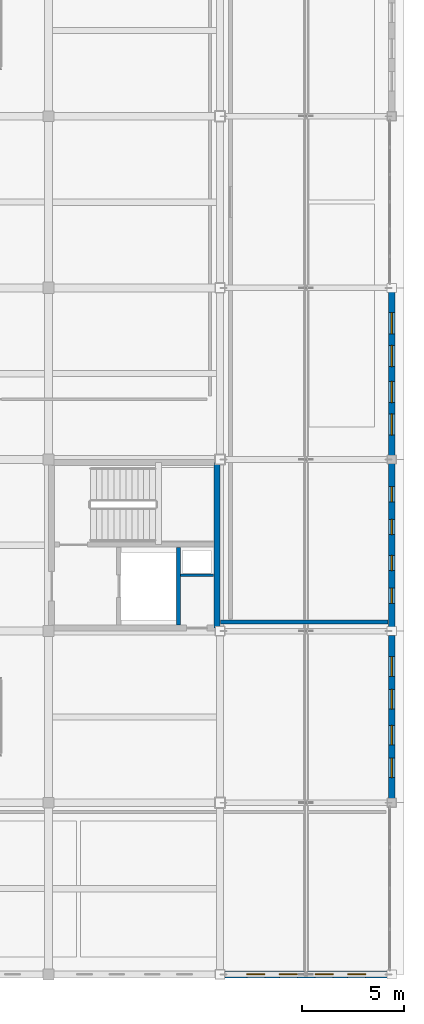
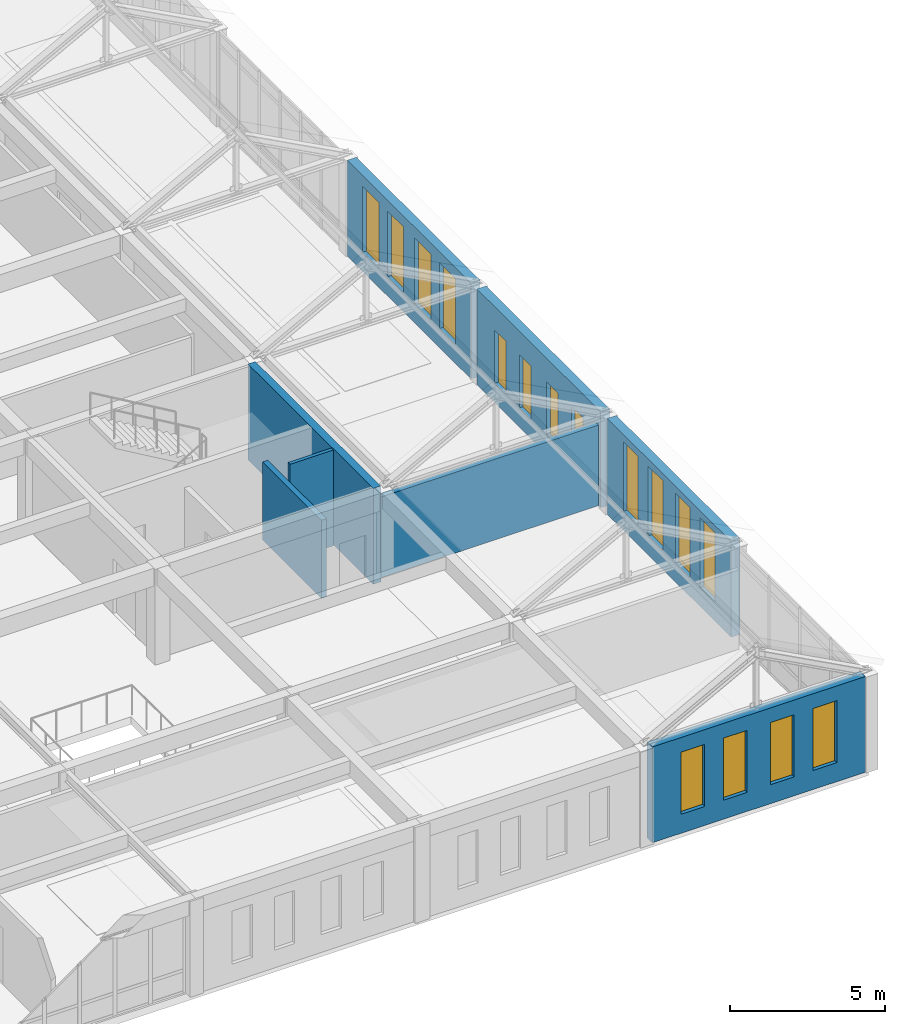
# One storey, part 29 of 36: 16 windows, 8 walls, 16 openings.
"""IFC4 building model written with IfcOpenShell, lengths in metres."""

import ifcopenshell
import ifcopenshell.guid

model = None  # the IFC model being written
_history = None  # IfcOwnerHistory: only IFC2X3 demands one
_inside = {}  # id of a spatial element -> (the spatial element, [elements in it])
_under = {}  # id of a project, library or spatial element -> (it, [spatial elements below it])
_declared = {}  # id of a project -> (the project, [libraries it declares])
_typed = {}  # id of a type object -> (the type object, [elements of that type])
_made_of = {}  # id of a material, layer set ... -> (it, [elements and type objects made of it])


def new_model(schema):
    """Start an empty IFC model of exactly this schema.

    Asked for "IFC4X3", IfcOpenShell would pick the latest addendum, in which some entities
    have other attributes; the version numbers below select the first issue.
    IFC2X3 requires an IfcOwnerHistory on every rooted entity: one is made here for all.
    """
    global model, _history
    if schema == "IFC4X3":
        model = ifcopenshell.file(schema_version=(4, 3, 0, 0))
    else:
        model = ifcopenshell.file(schema=schema)
    _inside.clear()
    _under.clear()
    _declared.clear()
    _typed.clear()
    _made_of.clear()
    _history = None
    if model.schema == "IFC2X3":
        org = make("IfcOrganization", Name="unknown")
        user = make(
            "IfcPersonAndOrganization",
            ThePerson=make("IfcPerson", FamilyName="unknown"),
            TheOrganization=org,
        )
        app = make(
            "IfcApplication",
            ApplicationDeveloper=org,
            Version="unknown",
            ApplicationFullName="unknown",
            ApplicationIdentifier="unknown",
        )
        _history = make(
            "IfcOwnerHistory",
            OwningUser=user,
            OwningApplication=app,
            ChangeAction="ADDED",
            CreationDate=0,
        )
    return model


def make(cls, **values):
    """One entity of the class cls with the attributes given. An attribute that is None is left unset."""
    return model.create_entity(
        cls, **{name: value for name, value in values.items() if value is not None}
    )


def rooted(cls, **values):
    """An entity with a GlobalId (a new one), such as an element, a storey or a relation."""
    return make(cls, GlobalId=ifcopenshell.guid.new(), OwnerHistory=_history, **values)


def si_unit(unit_type, name, prefix=None):
    """IfcSIUnit, for example si_unit("LENGTHUNIT", "METRE", prefix="MILLI")."""
    return make("IfcSIUnit", UnitType=unit_type, Prefix=prefix, Name=name)


def assignment(units):
    """IfcUnitAssignment: the units of a project."""
    return None if units is None else make("IfcUnitAssignment", Units=units)


def point(xyz):
    """IfcCartesianPoint."""
    return None if xyz is None else make("IfcCartesianPoint", Coordinates=xyz)


def direction(xyz):
    """IfcDirection."""
    return None if xyz is None else make("IfcDirection", DirectionRatios=xyz)


def frame(location, z_axis=None, x_axis=None):
    """IfcAxis2Placement3D, a coordinate frame: its origin and axes. An axis left out is left unset."""
    return make(
        "IfcAxis2Placement3D",
        Location=point(location),
        Axis=direction(z_axis),
        RefDirection=direction(x_axis),
    )


def frame_2d(location, x_axis=None):
    """IfcAxis2Placement2D, a coordinate frame in the plane: its origin and x axis."""
    return make(
        "IfcAxis2Placement2D", Location=point(location), RefDirection=direction(x_axis)
    )


def origin():
    """The frame at (0, 0, 0) with its axes left unset."""
    return frame((0.0, 0.0, 0.0))


def place(relative_to, where):
    """IfcLocalPlacement: puts the frame where relative to a parent placement (None: the world)."""
    return make(
        "IfcLocalPlacement", PlacementRelTo=relative_to, RelativePlacement=where
    )


def context(
    kind, dimensions, precision=None, world=None, true_north=None, identifier=None
):
    """IfcGeometricRepresentationContext, for example the 3D "Model" context."""
    return make(
        "IfcGeometricRepresentationContext",
        ContextIdentifier=identifier,
        ContextType=kind,
        CoordinateSpaceDimension=dimensions,
        Precision=precision,
        WorldCoordinateSystem=world,
        TrueNorth=true_north,
    )


def subcontext(parent, identifier, kind, view, scale=None):
    """IfcGeometricRepresentationSubContext, for example "Body" below "Model"."""
    return make(
        "IfcGeometricRepresentationSubContext",
        ContextIdentifier=identifier,
        ContextType=kind,
        ParentContext=parent,
        TargetScale=scale,
        TargetView=view,
    )


def project(units=None, contexts=None):
    """IfcProject with its units and contexts."""
    return rooted(
        "IfcProject",
        Name="project",
        RepresentationContexts=contexts,
        UnitsInContext=assignment(units),
    )


def spatial(cls, under=None, at=None, **own):
    """A site, building, storey or space (cls), placed at a placement, below another one or the project."""
    s = rooted(cls, ObjectPlacement=at, **own)
    if under is not None:
        _under.setdefault(under.id(), (under, []))[1].append(s)
    return s


def profile(cls, at=None, kind="AREA", **sizes):
    """A parametric profile (cls). Its sizes go by their IFC names, for example OverallWidth=200.0."""
    return make(cls, ProfileType=kind, Position=at, **sizes)


def rectangle(**sizes):
    """IfcRectangleProfileDef."""
    return profile("IfcRectangleProfileDef", **sizes)


def extrude(swept, where, along, depth):
    """IfcExtrudedAreaSolid: the profile swept, set in the frame where, extruded along a direction by depth."""
    return make(
        "IfcExtrudedAreaSolid",
        SweptArea=swept,
        Position=where,
        ExtrudedDirection=direction(along),
        Depth=depth,
    )


def shape(context_of_items, identifier, shape_type, items):
    """IfcShapeRepresentation: the items that make up one representation, for example the "Body"."""
    return make(
        "IfcShapeRepresentation",
        ContextOfItems=context_of_items,
        RepresentationIdentifier=identifier,
        RepresentationType=shape_type,
        Items=items,
    )


def material(Name=None, Category=None):
    """IfcMaterial."""
    return make("IfcMaterial", Name=Name, Category=Category)


def layer(
    of_material, thickness, ventilated=None, Name=None, Category=None, Priority=None
):
    """IfcMaterialLayer: one layer of a wall or slab, of a material (None: an air gap)."""
    return make(
        "IfcMaterialLayer",
        Material=of_material,
        LayerThickness=thickness,
        IsVentilated=ventilated,
        Name=Name,
        Category=Category,
        Priority=Priority,
    )


def layer_set(layers, Name=None):
    """IfcMaterialLayerSet."""
    return make("IfcMaterialLayerSet", MaterialLayers=layers, LayerSetName=Name)


def made_of(thing, what):
    """Note that an element or type object is made of a material, layer set ...; save() writes the relation."""
    if what is not None:
        _made_of.setdefault(what.id(), (what, []))[1].append(thing)
    return thing


def type_object(cls, material=None, **own):
    """A type object (cls), such as IfcWallType, which elements share."""
    return made_of(rooted(cls, **own), material)


def element(
    cls,
    number,
    at=None,
    inside=None,
    cuts=None,
    type_object=None,
    material=None,
    context=None,
    identifier="Body",
    shape_type=None,
    held_by="IfcProductDefinitionShape",
    body=None,
    shapes=None,
    **own,
):
    """One element of the class cls, such as IfcWall. Its Tag is "e" and its number.

    at: its placement. inside: the storey or other place that contains it. cuts: it is an
    opening in that element (IfcRelVoidsElement). A single representation is given by context,
    identifier, shape_type and body (its items); several are given by shapes. held_by: the class
    of the entity that holds the representations. save() writes the other relations.
    """
    e = rooted(cls, Tag="e%d" % number, ObjectPlacement=at, **own)
    if body is not None:
        shapes = [shape(context, identifier, shape_type, body)]
    if shapes is not None:
        e.Representation = make(held_by, Representations=shapes)
    if inside is not None:
        _inside.setdefault(inside.id(), (inside, []))[1].append(e)
    if cuts is not None:
        rooted(
            "IfcRelVoidsElement", RelatingBuildingElement=cuts, RelatedOpeningElement=e
        )
    if type_object is not None:
        _typed.setdefault(type_object.id(), (type_object, []))[1].append(e)
    return made_of(e, material)


def fill(opening, filler):
    """IfcRelFillsElement: the door or window that sits in an opening."""
    return rooted(
        "IfcRelFillsElement",
        RelatingOpeningElement=opening,
        RelatedBuildingElement=filler,
    )


def aggregate(whole, parts):
    """IfcRelAggregates: a whole, such as a stair, and the parts it consists of."""
    return rooted("IfcRelAggregates", RelatingObject=whole, RelatedObjects=parts)


def save(model, path):
    """Write the relations noted so far, then the file.

    IfcRelAggregates (storeys below a building ...), IfcRelContainedInSpatialStructure (elements
    in a storey), IfcRelDefinesByType, IfcRelAssociatesMaterial and IfcRelDeclares: one each for
    every whole, place, type object, material and project.
    """
    for whole, parts in _under.values():
        aggregate(whole, parts)
    for where, things in _inside.values():
        rooted(
            "IfcRelContainedInSpatialStructure",
            RelatedElements=things,
            RelatingStructure=where,
        )
    for kind, things in _typed.values():
        rooted("IfcRelDefinesByType", RelatedObjects=things, RelatingType=kind)
    for what, things in _made_of.values():
        rooted("IfcRelAssociatesMaterial", RelatedObjects=things, RelatingMaterial=what)
    for by, libraries in _declared.values():
        rooted("IfcRelDeclares", RelatingContext=by, RelatedDefinitions=libraries)
    model.write(path)


model = new_model("IFC4")

# Units and contexts
model_context = context("Model", 3, precision=1e-05, world=origin(), true_north=direction((0.0, 1.0)))
body_context = subcontext(model_context, "Body", "Model", "MODEL_VIEW")
ifc_project = project(units=[si_unit("LENGTHUNIT", "METRE"), si_unit("AREAUNIT", "SQUARE_METRE"), si_unit("VOLUMEUNIT", "CUBIC_METRE"), si_unit("PLANEANGLEUNIT", "RADIAN"), si_unit("MASSUNIT", "GRAM", prefix="KILO")], contexts=[model_context])

# Site, building, storey
site_placement = place(None, origin())
site = spatial("IfcSite", under=ifc_project, at=site_placement, CompositionType="ELEMENT")
building_placement = place(site_placement, origin())
building = spatial("IfcBuilding", under=site, at=building_placement, Name="Kveldsbrygga Polytechnic", CompositionType="ELEMENT")
storey_placement = place(building_placement, frame((0.0, 0.0, 22.10009765625)))
storey = spatial("IfcBuildingStorey", under=building, at=storey_placement, Name="L05", CompositionType="ELEMENT", Elevation=22.10009765625)

# Wall, openings, windows
ifc_material_1 = material(Name="Fired clay brick masonry M10", Category="masonry")
ifc_layer_1 = layer(ifc_material_1, 0.340087890625)
ifc_layer_set_1 = layer_set([ifc_layer_1], Name="Fired clay brick masonry M10")
wall_type_1 = type_object("IfcWallType", Name="EW-BRICK-340", PredefinedType="SOLIDWALL", material=ifc_layer_set_1)
wall_1_placement = place(storey_placement, frame((159.8349609375, 16.800048828125, 0.0), z_axis=(0.0, 0.0, 1.0), x_axis=(1.0, 0.0, 0.0)))
wall_1 = element("IfcWall", 1, at=wall_1_placement, inside=storey, type_object=wall_type_1, Name="Exterior Brick Wall EW-L05-X-19-02", PredefinedType="SOLIDWALL", context=body_context, shape_type="SweptSolid", body=[
    extrude(rectangle(XDim=7.955078125, YDim=0.340087890625, at=frame_2d((3.9775390625, 0.0))), origin(), (0.0, 0.0, 1.0), 3.77978515625),
])
opening_1_placement = place(wall_1_placement, frame((1.071533203125, 0.0, 0.75)))
opening_1 = element("IfcOpeningElement", 2, at=opening_1_placement, cuts=wall_1, Name="Opening W-18", PredefinedType="OPENING", context=body_context, shape_type="SweptSolid", body=[
    extrude(rectangle(XDim=0.8798828125, YDim=2.449951171875, at=frame_2d((0.43994140625, 1.22509765625))), frame((0.0, 0.18017578125, 0.0), z_axis=(0.0, -1.0, 0.0), x_axis=(1.0, 0.0, 0.0)), (0.0, 0.0, 1.0), 0.360107421875),
])
opening_2_placement = place(wall_1_placement, frame((2.662353515625, 0.0, 0.75)))
opening_2 = element("IfcOpeningElement", 3, at=opening_2_placement, cuts=wall_1, Name="Opening W-18", PredefinedType="OPENING", context=body_context, shape_type="SweptSolid", body=[
    extrude(rectangle(XDim=0.8798828125, YDim=2.449951171875, at=frame_2d((0.43994140625, 1.22509765625))), frame((0.0, 0.18017578125, 0.0), z_axis=(0.0, -1.0, 0.0), x_axis=(1.0, 0.0, 0.0)), (0.0, 0.0, 1.0), 0.360107421875),
])
opening_3_placement = place(wall_1_placement, frame((4.41259765625, 0.0, 0.75)))
opening_3 = element("IfcOpeningElement", 4, at=opening_3_placement, cuts=wall_1, Name="Opening W-18", PredefinedType="OPENING", context=body_context, shape_type="SweptSolid", body=[
    extrude(rectangle(XDim=0.8798828125, YDim=2.449951171875, at=frame_2d((0.43994140625, 1.22509765625))), frame((0.0, 0.18017578125, 0.0), z_axis=(0.0, -1.0, 0.0), x_axis=(1.0, 0.0, 0.0)), (0.0, 0.0, 1.0), 0.360107421875),
])
opening_4_placement = place(wall_1_placement, frame((6.003662109375, 0.0, 0.75)))
opening_4 = element("IfcOpeningElement", 5, at=opening_4_placement, cuts=wall_1, Name="Opening W-18", PredefinedType="OPENING", context=body_context, shape_type="SweptSolid", body=[
    extrude(rectangle(XDim=0.8798828125, YDim=2.449951171875, at=frame_2d((0.43994140625, 1.22509765625))), frame((0.0, 0.18017578125, 0.0), z_axis=(0.0, -1.0, 0.0), x_axis=(1.0, 0.0, 0.0)), (0.0, 0.0, 1.0), 0.360107421875),
])
ifc_material_2 = material(Name="Insulated triple low-E glass", Category="glass")
window_type_1 = type_object("IfcWindowType", Name="WN-LANC-088x245", PartitioningType="DOUBLE_PANEL_VERTICAL", PredefinedType="WINDOW", material=ifc_material_2)
window_1_placement = place(opening_1_placement, origin())
window_1 = element("IfcWindow", 6, at=window_1_placement, inside=storey, type_object=window_type_1, Name="Gothic Lancet Window WIN-L05-X-19-02-1", OverallHeight=2.449951171875, OverallWidth=0.8798828125, PartitioningType="DOUBLE_PANEL_VERTICAL", PredefinedType="WINDOW", context=body_context, shape_type="SweptSolid", body=[
    extrude(rectangle(XDim=0.8798828125, YDim=2.449951171875, at=frame_2d((0.43994140625, 1.22509765625))), frame((0.0, 0.030029296875, 0.0), z_axis=(0.0, -1.0, 0.0), x_axis=(1.0, 0.0, 0.0)), (0.0, 0.0, 1.0), 0.06005859375),
])
fill(opening_1, window_1)
window_2_placement = place(opening_2_placement, origin())
window_2 = element("IfcWindow", 7, at=window_2_placement, inside=storey, type_object=window_type_1, Name="Gothic Lancet Window WIN-L05-X-19-02-2", OverallHeight=2.449951171875, OverallWidth=0.8798828125, PartitioningType="DOUBLE_PANEL_VERTICAL", PredefinedType="WINDOW", context=body_context, shape_type="SweptSolid", body=[
    extrude(rectangle(XDim=0.8798828125, YDim=2.449951171875, at=frame_2d((0.43994140625, 1.22509765625))), frame((0.0, 0.030029296875, 0.0), z_axis=(0.0, -1.0, 0.0), x_axis=(1.0, 0.0, 0.0)), (0.0, 0.0, 1.0), 0.06005859375),
])
fill(opening_2, window_2)
window_3_placement = place(opening_3_placement, origin())
window_3 = element("IfcWindow", 8, at=window_3_placement, inside=storey, type_object=window_type_1, Name="Gothic Lancet Window WIN-L05-X-19-02-3", OverallHeight=2.449951171875, OverallWidth=0.8798828125, PartitioningType="DOUBLE_PANEL_VERTICAL", PredefinedType="WINDOW", context=body_context, shape_type="SweptSolid", body=[
    extrude(rectangle(XDim=0.8798828125, YDim=2.449951171875, at=frame_2d((0.43994140625, 1.22509765625))), frame((0.0, 0.030029296875, 0.0), z_axis=(0.0, -1.0, 0.0), x_axis=(1.0, 0.0, 0.0)), (0.0, 0.0, 1.0), 0.06005859375),
])
fill(opening_3, window_3)
window_4_placement = place(opening_4_placement, origin())
window_4 = element("IfcWindow", 9, at=window_4_placement, inside=storey, type_object=window_type_1, Name="Gothic Lancet Window WIN-L05-X-19-02-4", OverallHeight=2.449951171875, OverallWidth=0.8798828125, PartitioningType="DOUBLE_PANEL_VERTICAL", PredefinedType="WINDOW", context=body_context, shape_type="SweptSolid", body=[
    extrude(rectangle(XDim=0.8798828125, YDim=2.449951171875, at=frame_2d((0.43994140625, 1.22509765625))), frame((0.0, 0.030029296875, 0.0), z_axis=(0.0, -1.0, 0.0), x_axis=(1.0, 0.0, 0.0)), (0.0, 0.0, 1.0), 0.06005859375),
])
fill(opening_4, window_4)

wall_2_placement = place(storey_placement, frame((168.0, 25.385009765625, 0.0), z_axis=(0.0, 0.0, 1.0), x_axis=(0.0, 1.0, 0.0)))
wall_2 = element("IfcWall", 10, at=wall_2_placement, inside=storey, type_object=wall_type_1, Name="Exterior Brick Wall EW-L05-Y-20-03", PredefinedType="SOLIDWALL", context=body_context, shape_type="SweptSolid", body=[
    extrude(rectangle(XDim=8.0048828125, YDim=0.340087890625, at=frame_2d((4.00244140625, 0.0))), origin(), (0.0, 0.0, 1.0), 3.77978515625),
])
opening_5_placement = place(wall_2_placement, frame((1.041015625, 0.0, 0.75)))
opening_5 = element("IfcOpeningElement", 11, at=opening_5_placement, cuts=wall_2, Name="Opening W-26", PredefinedType="OPENING", context=body_context, shape_type="SweptSolid", body=[
    extrude(rectangle(XDim=0.9599609375, YDim=2.75, at=frame_2d((0.47998046875, 1.375))), frame((0.0, 0.18017578125, 0.0), z_axis=(0.0, -1.0, 0.0), x_axis=(1.0, 0.0, 0.0)), (0.0, 0.0, 1.0), 0.360107421875),
])
opening_6_placement = place(wall_2_placement, frame((2.641845703125, 0.0, 0.75)))
opening_6 = element("IfcOpeningElement", 12, at=opening_6_placement, cuts=wall_2, Name="Opening W-26", PredefinedType="OPENING", context=body_context, shape_type="SweptSolid", body=[
    extrude(rectangle(XDim=0.9599609375, YDim=2.75, at=frame_2d((0.47998046875, 1.375))), frame((0.0, 0.18017578125, 0.0), z_axis=(0.0, -1.0, 0.0), x_axis=(1.0, 0.0, 0.0)), (0.0, 0.0, 1.0), 0.360107421875),
])
opening_7_placement = place(wall_2_placement, frame((4.403076171875, 0.0, 0.75)))
opening_7 = element("IfcOpeningElement", 13, at=opening_7_placement, cuts=wall_2, Name="Opening W-26", PredefinedType="OPENING", context=body_context, shape_type="SweptSolid", body=[
    extrude(rectangle(XDim=0.9599609375, YDim=2.75, at=frame_2d((0.47998046875, 1.375))), frame((0.0, 0.18017578125, 0.0), z_axis=(0.0, -1.0, 0.0), x_axis=(1.0, 0.0, 0.0)), (0.0, 0.0, 1.0), 0.360107421875),
])
opening_8_placement = place(wall_2_placement, frame((6.004150390625, 0.0, 0.75)))
opening_8 = element("IfcOpeningElement", 14, at=opening_8_placement, cuts=wall_2, Name="Opening W-26", PredefinedType="OPENING", context=body_context, shape_type="SweptSolid", body=[
    extrude(rectangle(XDim=0.9599609375, YDim=2.75, at=frame_2d((0.47998046875, 1.375))), frame((0.0, 0.18017578125, 0.0), z_axis=(0.0, -1.0, 0.0), x_axis=(1.0, 0.0, 0.0)), (0.0, 0.0, 1.0), 0.360107421875),
])
window_type_2 = type_object("IfcWindowType", Name="WN-WORK-096x275", PartitioningType="DOUBLE_PANEL_VERTICAL", PredefinedType="WINDOW", material=ifc_material_2)
window_5_placement = place(opening_5_placement, origin())
window_5 = element("IfcWindow", 15, at=window_5_placement, inside=storey, type_object=window_type_2, Name="Gothic Lancet Window WIN-L05-Y-20-03-1", OverallHeight=2.75, OverallWidth=0.9599609375, PartitioningType="DOUBLE_PANEL_VERTICAL", PredefinedType="WINDOW", context=body_context, shape_type="SweptSolid", body=[
    extrude(rectangle(XDim=0.9599609375, YDim=2.75, at=frame_2d((0.47998046875, 1.375))), frame((0.0, 0.030029296875, 0.0), z_axis=(0.0, -1.0, 0.0), x_axis=(1.0, 0.0, 0.0)), (0.0, 0.0, 1.0), 0.06005859375),
])
fill(opening_5, window_5)
window_6_placement = place(opening_6_placement, origin())
window_6 = element("IfcWindow", 16, at=window_6_placement, inside=storey, type_object=window_type_2, Name="Gothic Lancet Window WIN-L05-Y-20-03-2", OverallHeight=2.75, OverallWidth=0.9599609375, PartitioningType="DOUBLE_PANEL_VERTICAL", PredefinedType="WINDOW", context=body_context, shape_type="SweptSolid", body=[
    extrude(rectangle(XDim=0.9599609375, YDim=2.75, at=frame_2d((0.47998046875, 1.375))), frame((0.0, 0.030029296875, 0.0), z_axis=(0.0, -1.0, 0.0), x_axis=(1.0, 0.0, 0.0)), (0.0, 0.0, 1.0), 0.06005859375),
])
fill(opening_6, window_6)
window_7_placement = place(opening_7_placement, origin())
window_7 = element("IfcWindow", 17, at=window_7_placement, inside=storey, type_object=window_type_2, Name="Gothic Lancet Window WIN-L05-Y-20-03-3", OverallHeight=2.75, OverallWidth=0.9599609375, PartitioningType="DOUBLE_PANEL_VERTICAL", PredefinedType="WINDOW", context=body_context, shape_type="SweptSolid", body=[
    extrude(rectangle(XDim=0.9599609375, YDim=2.75, at=frame_2d((0.47998046875, 1.375))), frame((0.0, 0.030029296875, 0.0), z_axis=(0.0, -1.0, 0.0), x_axis=(1.0, 0.0, 0.0)), (0.0, 0.0, 1.0), 0.06005859375),
])
fill(opening_7, window_7)
window_8_placement = place(opening_8_placement, origin())
window_8 = element("IfcWindow", 18, at=window_8_placement, inside=storey, type_object=window_type_2, Name="Gothic Lancet Window WIN-L05-Y-20-03-4", OverallHeight=2.75, OverallWidth=0.9599609375, PartitioningType="DOUBLE_PANEL_VERTICAL", PredefinedType="WINDOW", context=body_context, shape_type="SweptSolid", body=[
    extrude(rectangle(XDim=0.9599609375, YDim=2.75, at=frame_2d((0.47998046875, 1.375))), frame((0.0, 0.030029296875, 0.0), z_axis=(0.0, -1.0, 0.0), x_axis=(1.0, 0.0, 0.0)), (0.0, 0.0, 1.0), 0.06005859375),
])
fill(opening_8, window_8)

wall_3_placement = place(storey_placement, frame((168.0, 33.81005859375, 0.0), z_axis=(0.0, 0.0, 1.0), x_axis=(0.0, 1.0, 0.0)))
wall_3 = element("IfcWall", 19, at=wall_3_placement, inside=storey, type_object=wall_type_1, Name="Exterior Brick Wall EW-L05-Y-20-04", PredefinedType="SOLIDWALL", context=body_context, shape_type="SweptSolid", body=[
    extrude(rectangle(XDim=8.0048828125, YDim=0.340087890625, at=frame_2d((4.00244140625, 0.0))), origin(), (0.0, 0.0, 1.0), 3.77978515625),
])
opening_9_placement = place(wall_3_placement, frame((1.14599609375, 0.0, 0.75)))
opening_9 = element("IfcOpeningElement", 20, at=opening_9_placement, cuts=wall_3, Name="Opening W-27", PredefinedType="OPENING", context=body_context, shape_type="SweptSolid", body=[
    extrude(rectangle(XDim=0.75, YDim=2.10009765625, at=frame_2d((0.375, 1.050048828125))), frame((0.0, 0.18017578125, 0.0), z_axis=(0.0, -1.0, 0.0), x_axis=(1.0, 0.0, 0.0)), (0.0, 0.0, 1.0), 0.360107421875),
])
opening_10_placement = place(wall_3_placement, frame((2.7470703125, 0.0, 0.75)))
opening_10 = element("IfcOpeningElement", 21, at=opening_10_placement, cuts=wall_3, Name="Opening W-27", PredefinedType="OPENING", context=body_context, shape_type="SweptSolid", body=[
    extrude(rectangle(XDim=0.75, YDim=2.10009765625, at=frame_2d((0.375, 1.050048828125))), frame((0.0, 0.18017578125, 0.0), z_axis=(0.0, -1.0, 0.0), x_axis=(1.0, 0.0, 0.0)), (0.0, 0.0, 1.0), 0.360107421875),
])
opening_11_placement = place(wall_3_placement, frame((4.508056640625, 0.0, 0.75)))
opening_11 = element("IfcOpeningElement", 22, at=opening_11_placement, cuts=wall_3, Name="Opening W-27", PredefinedType="OPENING", context=body_context, shape_type="SweptSolid", body=[
    extrude(rectangle(XDim=0.75, YDim=2.10009765625, at=frame_2d((0.375, 1.050048828125))), frame((0.0, 0.18017578125, 0.0), z_axis=(0.0, -1.0, 0.0), x_axis=(1.0, 0.0, 0.0)), (0.0, 0.0, 1.0), 0.360107421875),
])
opening_12_placement = place(wall_3_placement, frame((6.109130859375, 0.0, 0.75)))
opening_12 = element("IfcOpeningElement", 23, at=opening_12_placement, cuts=wall_3, Name="Opening W-27", PredefinedType="OPENING", context=body_context, shape_type="SweptSolid", body=[
    extrude(rectangle(XDim=0.75, YDim=2.10009765625, at=frame_2d((0.375, 1.050048828125))), frame((0.0, 0.18017578125, 0.0), z_axis=(0.0, -1.0, 0.0), x_axis=(1.0, 0.0, 0.0)), (0.0, 0.0, 1.0), 0.360107421875),
])
window_type_3 = type_object("IfcWindowType", Name="WN-ATTIC-075x210", PartitioningType="DOUBLE_PANEL_VERTICAL", PredefinedType="WINDOW", material=ifc_material_2)
window_9_placement = place(opening_9_placement, origin())
window_9 = element("IfcWindow", 24, at=window_9_placement, inside=storey, type_object=window_type_3, Name="Gothic Lancet Window WIN-L05-Y-20-04-1", OverallHeight=2.10009765625, OverallWidth=0.75, PartitioningType="DOUBLE_PANEL_VERTICAL", PredefinedType="WINDOW", context=body_context, shape_type="SweptSolid", body=[
    extrude(rectangle(XDim=0.75, YDim=2.10009765625, at=frame_2d((0.375, 1.050048828125))), frame((0.0, 0.030029296875, 0.0), z_axis=(0.0, -1.0, 0.0), x_axis=(1.0, 0.0, 0.0)), (0.0, 0.0, 1.0), 0.06005859375),
])
fill(opening_9, window_9)
window_10_placement = place(opening_10_placement, origin())
window_10 = element("IfcWindow", 25, at=window_10_placement, inside=storey, type_object=window_type_3, Name="Gothic Lancet Window WIN-L05-Y-20-04-2", OverallHeight=2.10009765625, OverallWidth=0.75, PartitioningType="DOUBLE_PANEL_VERTICAL", PredefinedType="WINDOW", context=body_context, shape_type="SweptSolid", body=[
    extrude(rectangle(XDim=0.75, YDim=2.10009765625, at=frame_2d((0.375, 1.050048828125))), frame((0.0, 0.030029296875, 0.0), z_axis=(0.0, -1.0, 0.0), x_axis=(1.0, 0.0, 0.0)), (0.0, 0.0, 1.0), 0.06005859375),
])
fill(opening_10, window_10)
window_11_placement = place(opening_11_placement, origin())
window_11 = element("IfcWindow", 26, at=window_11_placement, inside=storey, type_object=window_type_3, Name="Gothic Lancet Window WIN-L05-Y-20-04-3", OverallHeight=2.10009765625, OverallWidth=0.75, PartitioningType="DOUBLE_PANEL_VERTICAL", PredefinedType="WINDOW", context=body_context, shape_type="SweptSolid", body=[
    extrude(rectangle(XDim=0.75, YDim=2.10009765625, at=frame_2d((0.375, 1.050048828125))), frame((0.0, 0.030029296875, 0.0), z_axis=(0.0, -1.0, 0.0), x_axis=(1.0, 0.0, 0.0)), (0.0, 0.0, 1.0), 0.06005859375),
])
fill(opening_11, window_11)
window_12_placement = place(opening_12_placement, origin())
window_12 = element("IfcWindow", 27, at=window_12_placement, inside=storey, type_object=window_type_3, Name="Gothic Lancet Window WIN-L05-Y-20-04-4", OverallHeight=2.10009765625, OverallWidth=0.75, PartitioningType="DOUBLE_PANEL_VERTICAL", PredefinedType="WINDOW", context=body_context, shape_type="SweptSolid", body=[
    extrude(rectangle(XDim=0.75, YDim=2.10009765625, at=frame_2d((0.375, 1.050048828125))), frame((0.0, 0.030029296875, 0.0), z_axis=(0.0, -1.0, 0.0), x_axis=(1.0, 0.0, 0.0)), (0.0, 0.0, 1.0), 0.06005859375),
])
fill(opening_12, window_12)

wall_4_placement = place(storey_placement, frame((168.0, 42.18505859375, 0.0), z_axis=(0.0, 0.0, 1.0), x_axis=(0.0, 1.0, 0.0)))
wall_4 = element("IfcWall", 28, at=wall_4_placement, inside=storey, type_object=wall_type_1, Name="Exterior Brick Wall EW-L05-Y-20-05", PredefinedType="SOLIDWALL", context=body_context, shape_type="SweptSolid", body=[
    extrude(rectangle(XDim=8.0048828125, YDim=0.340087890625, at=frame_2d((4.00244140625, 0.0))), origin(), (0.0, 0.0, 1.0), 3.77978515625),
])
opening_13_placement = place(wall_4_placement, frame((1.0009765625, 0.0, 0.75)))
opening_13 = element("IfcOpeningElement", 29, at=opening_13_placement, cuts=wall_4, Name="Opening W-36", PredefinedType="OPENING", context=body_context, shape_type="SweptSolid", body=[
    extrude(rectangle(XDim=1.0400390625, YDim=2.60009765625, at=frame_2d((0.52001953125, 1.300048828125))), frame((0.0, 0.18017578125, 0.0), z_axis=(0.0, -1.0, 0.0), x_axis=(1.0, 0.0, 0.0)), (0.0, 0.0, 1.0), 0.360107421875),
])
opening_14_placement = place(wall_4_placement, frame((2.60205078125, 0.0, 0.75)))
opening_14 = element("IfcOpeningElement", 30, at=opening_14_placement, cuts=wall_4, Name="Opening W-36", PredefinedType="OPENING", context=body_context, shape_type="SweptSolid", body=[
    extrude(rectangle(XDim=1.0400390625, YDim=2.60009765625, at=frame_2d((0.52001953125, 1.300048828125))), frame((0.0, 0.18017578125, 0.0), z_axis=(0.0, -1.0, 0.0), x_axis=(1.0, 0.0, 0.0)), (0.0, 0.0, 1.0), 0.360107421875),
])
opening_15_placement = place(wall_4_placement, frame((4.363037109375, 0.0, 0.75)))
opening_15 = element("IfcOpeningElement", 31, at=opening_15_placement, cuts=wall_4, Name="Opening W-36", PredefinedType="OPENING", context=body_context, shape_type="SweptSolid", body=[
    extrude(rectangle(XDim=1.0400390625, YDim=2.60009765625, at=frame_2d((0.52001953125, 1.300048828125))), frame((0.0, 0.18017578125, 0.0), z_axis=(0.0, -1.0, 0.0), x_axis=(1.0, 0.0, 0.0)), (0.0, 0.0, 1.0), 0.360107421875),
])
opening_16_placement = place(wall_4_placement, frame((5.964111328125, 0.0, 0.75)))
opening_16 = element("IfcOpeningElement", 32, at=opening_16_placement, cuts=wall_4, Name="Opening W-36", PredefinedType="OPENING", context=body_context, shape_type="SweptSolid", body=[
    extrude(rectangle(XDim=1.0400390625, YDim=2.60009765625, at=frame_2d((0.52001953125, 1.300048828125))), frame((0.0, 0.18017578125, 0.0), z_axis=(0.0, -1.0, 0.0), x_axis=(1.0, 0.0, 0.0)), (0.0, 0.0, 1.0), 0.360107421875),
])
window_type_4 = type_object("IfcWindowType", Name="WN-LANC-104x260", PartitioningType="DOUBLE_PANEL_VERTICAL", PredefinedType="WINDOW", material=ifc_material_2)
window_13_placement = place(opening_13_placement, origin())
window_13 = element("IfcWindow", 33, at=window_13_placement, inside=storey, type_object=window_type_4, Name="Gothic Lancet Window WIN-L05-Y-20-05-1", OverallHeight=2.60009765625, OverallWidth=1.0400390625, PartitioningType="DOUBLE_PANEL_VERTICAL", PredefinedType="WINDOW", context=body_context, shape_type="SweptSolid", body=[
    extrude(rectangle(XDim=1.0400390625, YDim=2.60009765625, at=frame_2d((0.52001953125, 1.300048828125))), frame((0.0, 0.030029296875, 0.0), z_axis=(0.0, -1.0, 0.0), x_axis=(1.0, 0.0, 0.0)), (0.0, 0.0, 1.0), 0.06005859375),
])
fill(opening_13, window_13)
window_14_placement = place(opening_14_placement, origin())
window_14 = element("IfcWindow", 34, at=window_14_placement, inside=storey, type_object=window_type_4, Name="Gothic Lancet Window WIN-L05-Y-20-05-2", OverallHeight=2.60009765625, OverallWidth=1.0400390625, PartitioningType="DOUBLE_PANEL_VERTICAL", PredefinedType="WINDOW", context=body_context, shape_type="SweptSolid", body=[
    extrude(rectangle(XDim=1.0400390625, YDim=2.60009765625, at=frame_2d((0.52001953125, 1.300048828125))), frame((0.0, 0.030029296875, 0.0), z_axis=(0.0, -1.0, 0.0), x_axis=(1.0, 0.0, 0.0)), (0.0, 0.0, 1.0), 0.06005859375),
])
fill(opening_14, window_14)
window_15_placement = place(opening_15_placement, origin())
window_15 = element("IfcWindow", 35, at=window_15_placement, inside=storey, type_object=window_type_4, Name="Gothic Lancet Window WIN-L05-Y-20-05-3", OverallHeight=2.60009765625, OverallWidth=1.0400390625, PartitioningType="DOUBLE_PANEL_VERTICAL", PredefinedType="WINDOW", context=body_context, shape_type="SweptSolid", body=[
    extrude(rectangle(XDim=1.0400390625, YDim=2.60009765625, at=frame_2d((0.52001953125, 1.300048828125))), frame((0.0, 0.030029296875, 0.0), z_axis=(0.0, -1.0, 0.0), x_axis=(1.0, 0.0, 0.0)), (0.0, 0.0, 1.0), 0.06005859375),
])
fill(opening_15, window_15)
window_16_placement = place(opening_16_placement, origin())
window_16 = element("IfcWindow", 36, at=window_16_placement, inside=storey, type_object=window_type_4, Name="Gothic Lancet Window WIN-L05-Y-20-05-4", OverallHeight=2.60009765625, OverallWidth=1.0400390625, PartitioningType="DOUBLE_PANEL_VERTICAL", PredefinedType="WINDOW", context=body_context, shape_type="SweptSolid", body=[
    extrude(rectangle(XDim=1.0400390625, YDim=2.60009765625, at=frame_2d((0.52001953125, 1.300048828125))), frame((0.0, 0.030029296875, 0.0), z_axis=(0.0, -1.0, 0.0), x_axis=(1.0, 0.0, 0.0)), (0.0, 0.0, 1.0), 0.06005859375),
])
fill(opening_16, window_16)

# Walls
ifc_layer_2 = layer(ifc_material_1, 0.199951171875)
ifc_layer_set_2 = layer_set([ifc_layer_2], Name="Fired clay brick masonry M10")
wall_type_2 = type_object("IfcWallType", Name="IW-LAB-200", PredefinedType="PARTITIONING", material=ifc_layer_set_2)
wall_5_placement = place(storey_placement, frame((159.6298828125, 34.050048828125, 0.0), z_axis=(0.0, 0.0, 1.0), x_axis=(1.0, 0.0, 0.0)))
element("IfcWall", 37, at=wall_5_placement, inside=storey, type_object=wall_type_2, Name="Partition Wall IW-SP-L05-LAB51-S1", PredefinedType="PARTITIONING", context=body_context, shape_type="SweptSolid", body=[
    extrude(rectangle(XDim=8.190185546875, YDim=0.199951171875, at=frame_2d((4.09521484375, 0.0))), origin(), (0.0, 0.0, 1.0), 3.179931640625),
])
ifc_material_3 = material(Name="Moisture-resistant masonry M10", Category="masonry")
ifc_layer_3 = layer(ifc_material_3, 0.1298828125)
ifc_layer_set_3 = layer_set([ifc_layer_3], Name="Moisture-resistant masonry M10")
wall_type_3 = type_object("IfcWallType", Name="IW-SAN-130", PredefinedType="PARTITIONING", material=ifc_layer_set_3)
wall_6_placement = place(storey_placement, frame((157.659912109375, 36.340087890625, 0.0), z_axis=(0.0, 0.0, 1.0), x_axis=(1.0, 0.0, 0.0)))
element("IfcWall", 38, at=wall_6_placement, inside=storey, type_object=wall_type_3, Name="Core AWC Divider C3-L05-W-RSR", PredefinedType="PARTITIONING", context=body_context, shape_type="SweptSolid", body=[
    extrude(rectangle(XDim=1.6201171875, YDim=0.1298828125, at=frame_2d((0.81005859375, 0.0))), origin(), (0.0, 0.0, 1.0), 3.77978515625),
])
ifc_material_4 = material(Name="Concrete C45/55", Category="concrete")
ifc_layer_4 = layer(ifc_material_4, 0.280029296875)
ifc_layer_set_4 = layer_set([ifc_layer_4], Name="Concrete C45/55")
wall_type_4 = type_object("IfcWallType", Name="WL-CORE-280", PredefinedType="SHEAR", material=ifc_layer_set_4)
wall_7_placement = place(storey_placement, frame((159.449951171875, 33.75, 0.0), z_axis=(0.0, 0.0, 1.0), x_axis=(0.0, 1.0, 0.0)))
element("IfcWall", 39, at=wall_7_placement, inside=storey, type_object=wall_type_4, Name="Core C3 Shear Wall C3-L05-SW-E", PredefinedType="SHEAR", context=body_context, shape_type="SweptSolid", body=[
    extrude(rectangle(XDim=8.10009765625, YDim=0.280029296875, at=frame_2d((4.050048828125, 0.0))), origin(), (0.0, 0.0, 1.0), 3.77978515625),
])
ifc_material_5 = material(Name="Concrete C35/45", Category="concrete")
ifc_layer_5 = layer(ifc_material_5, 0.199951171875)
ifc_layer_set_5 = layer_set([ifc_layer_5], Name="Concrete C35/45")
wall_type_5 = type_object("IfcWallType", Name="WL-SHFT-200", PredefinedType="SHEAR", material=ifc_layer_set_5)
wall_8_placement = place(storey_placement, frame((157.56005859375, 33.89990234375, 0.0), z_axis=(0.0, 0.0, 1.0), x_axis=(0.0, 1.0, 0.0)))
element("IfcWall", 40, at=wall_8_placement, inside=storey, type_object=wall_type_5, Name="Lift Back Wall C3-L05-W-LBK", PredefinedType="SHEAR", context=body_context, shape_type="SweptSolid", body=[
    extrude(rectangle(XDim=3.800048828125, YDim=0.199951171875, at=frame_2d((1.89990234375, 0.0))), origin(), (0.0, 0.0, 1.0), 3.079833984375),
])

save(model, "model.ifc")
